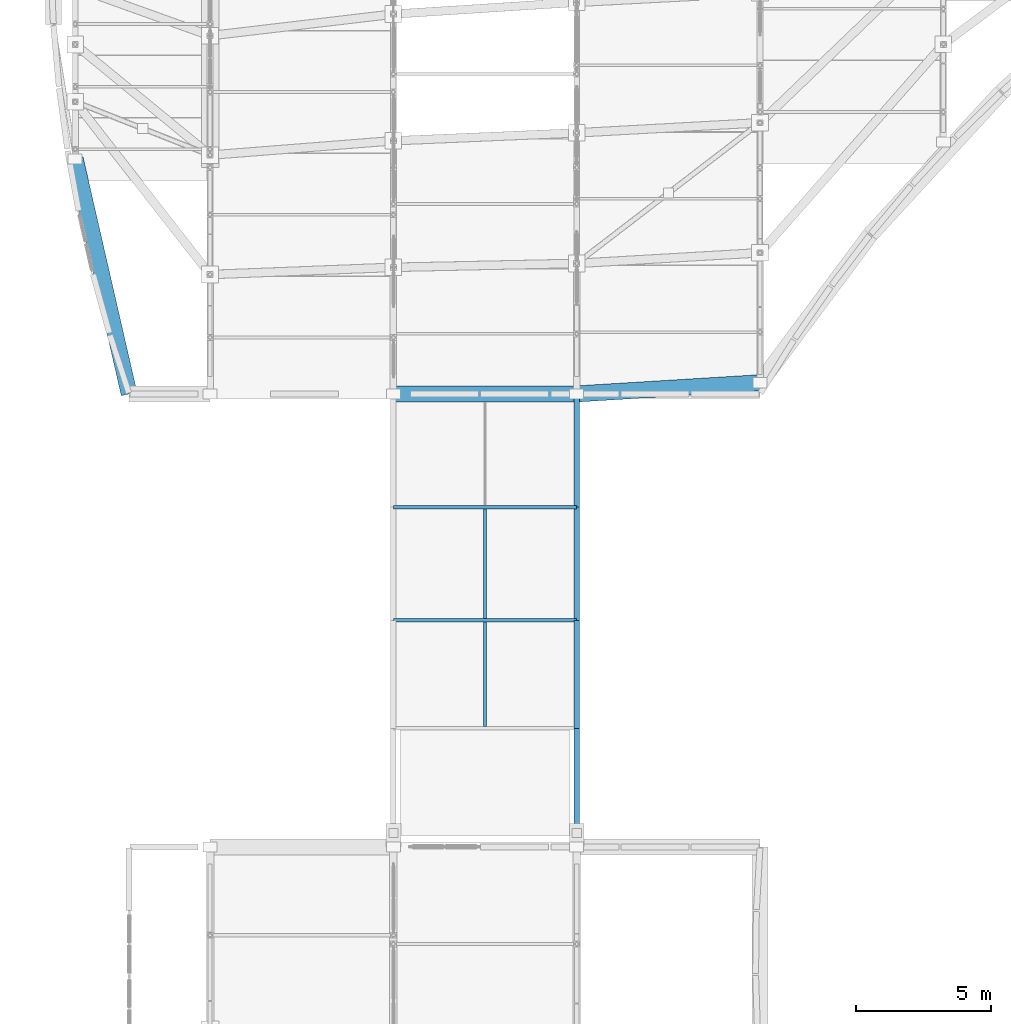
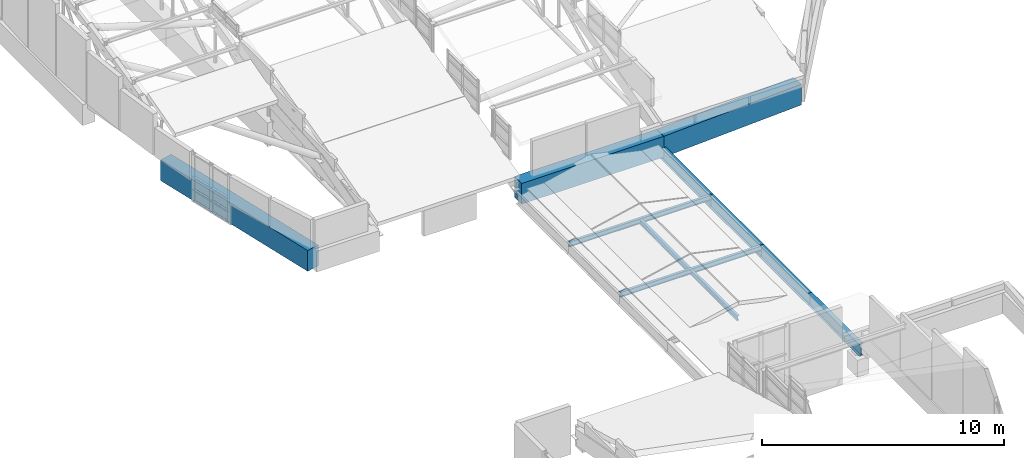
# One storey, part 65 of 188: 11 beams.
"""IFC4 building model written with IfcOpenShell, lengths in metres."""

import ifcopenshell
import ifcopenshell.guid

model = None  # the IFC model being written
_history = None  # IfcOwnerHistory: only IFC2X3 demands one
_inside = {}  # id of a spatial element -> (the spatial element, [elements in it])
_under = {}  # id of a project, library or spatial element -> (it, [spatial elements below it])
_declared = {}  # id of a project -> (the project, [libraries it declares])
_typed = {}  # id of a type object -> (the type object, [elements of that type])
_made_of = {}  # id of a material, layer set ... -> (it, [elements and type objects made of it])


def new_model(schema):
    """Start an empty IFC model of exactly this schema.

    Asked for "IFC4X3", IfcOpenShell would pick the latest addendum, in which some entities
    have other attributes; the version numbers below select the first issue.
    IFC2X3 requires an IfcOwnerHistory on every rooted entity: one is made here for all.
    """
    global model, _history
    if schema == "IFC4X3":
        model = ifcopenshell.file(schema_version=(4, 3, 0, 0))
    else:
        model = ifcopenshell.file(schema=schema)
    _inside.clear()
    _under.clear()
    _declared.clear()
    _typed.clear()
    _made_of.clear()
    _history = None
    if model.schema == "IFC2X3":
        org = make("IfcOrganization", Name="unknown")
        user = make(
            "IfcPersonAndOrganization",
            ThePerson=make("IfcPerson", FamilyName="unknown"),
            TheOrganization=org,
        )
        app = make(
            "IfcApplication",
            ApplicationDeveloper=org,
            Version="unknown",
            ApplicationFullName="unknown",
            ApplicationIdentifier="unknown",
        )
        _history = make(
            "IfcOwnerHistory",
            OwningUser=user,
            OwningApplication=app,
            ChangeAction="ADDED",
            CreationDate=0,
        )
    return model


def make(cls, **values):
    """One entity of the class cls with the attributes given. An attribute that is None is left unset."""
    return model.create_entity(
        cls, **{name: value for name, value in values.items() if value is not None}
    )


def rooted(cls, **values):
    """An entity with a GlobalId (a new one), such as an element, a storey or a relation."""
    return make(cls, GlobalId=ifcopenshell.guid.new(), OwnerHistory=_history, **values)


def si_unit(unit_type, name, prefix=None):
    """IfcSIUnit, for example si_unit("LENGTHUNIT", "METRE", prefix="MILLI")."""
    return make("IfcSIUnit", UnitType=unit_type, Prefix=prefix, Name=name)


def assignment(units):
    """IfcUnitAssignment: the units of a project."""
    return None if units is None else make("IfcUnitAssignment", Units=units)


def point(xyz):
    """IfcCartesianPoint."""
    return None if xyz is None else make("IfcCartesianPoint", Coordinates=xyz)


def direction(xyz):
    """IfcDirection."""
    return None if xyz is None else make("IfcDirection", DirectionRatios=xyz)


def frame(location, z_axis=None, x_axis=None):
    """IfcAxis2Placement3D, a coordinate frame: its origin and axes. An axis left out is left unset."""
    return make(
        "IfcAxis2Placement3D",
        Location=point(location),
        Axis=direction(z_axis),
        RefDirection=direction(x_axis),
    )


def frame_2d(location, x_axis=None):
    """IfcAxis2Placement2D, a coordinate frame in the plane: its origin and x axis."""
    return make(
        "IfcAxis2Placement2D", Location=point(location), RefDirection=direction(x_axis)
    )


def origin():
    """The frame at (0, 0, 0) with its axes left unset."""
    return frame((0.0, 0.0, 0.0))


def origin_2d():
    """The frame at (0, 0) in the plane with its x axis left unset."""
    return frame_2d((0.0, 0.0))


def place(relative_to, where):
    """IfcLocalPlacement: puts the frame where relative to a parent placement (None: the world)."""
    return make(
        "IfcLocalPlacement", PlacementRelTo=relative_to, RelativePlacement=where
    )


def context(
    kind, dimensions, precision=None, world=None, true_north=None, identifier=None
):
    """IfcGeometricRepresentationContext, for example the 3D "Model" context."""
    return make(
        "IfcGeometricRepresentationContext",
        ContextIdentifier=identifier,
        ContextType=kind,
        CoordinateSpaceDimension=dimensions,
        Precision=precision,
        WorldCoordinateSystem=world,
        TrueNorth=true_north,
    )


def subcontext(parent, identifier, kind, view, scale=None):
    """IfcGeometricRepresentationSubContext, for example "Body" below "Model"."""
    return make(
        "IfcGeometricRepresentationSubContext",
        ContextIdentifier=identifier,
        ContextType=kind,
        ParentContext=parent,
        TargetScale=scale,
        TargetView=view,
    )


def project(units=None, contexts=None):
    """IfcProject with its units and contexts."""
    return rooted(
        "IfcProject",
        Name="project",
        RepresentationContexts=contexts,
        UnitsInContext=assignment(units),
    )


def spatial(cls, under=None, at=None, **own):
    """A site, building, storey or space (cls), placed at a placement, below another one or the project."""
    s = rooted(cls, ObjectPlacement=at, **own)
    if under is not None:
        _under.setdefault(under.id(), (under, []))[1].append(s)
    return s


def profile(cls, at=None, kind="AREA", **sizes):
    """A parametric profile (cls). Its sizes go by their IFC names, for example OverallWidth=200.0."""
    return make(cls, ProfileType=kind, Position=at, **sizes)


def rectangle(**sizes):
    """IfcRectangleProfileDef."""
    return profile("IfcRectangleProfileDef", **sizes)


def i_section(**sizes):
    """IfcIShapeProfileDef."""
    return profile("IfcIShapeProfileDef", **sizes)


def extrude(swept, where, along, depth):
    """IfcExtrudedAreaSolid: the profile swept, set in the frame where, extruded along a direction by depth."""
    return make(
        "IfcExtrudedAreaSolid",
        SweptArea=swept,
        Position=where,
        ExtrudedDirection=direction(along),
        Depth=depth,
    )


def shape(context_of_items, identifier, shape_type, items):
    """IfcShapeRepresentation: the items that make up one representation, for example the "Body"."""
    return make(
        "IfcShapeRepresentation",
        ContextOfItems=context_of_items,
        RepresentationIdentifier=identifier,
        RepresentationType=shape_type,
        Items=items,
    )


def material(Name=None, Category=None):
    """IfcMaterial."""
    return make("IfcMaterial", Name=Name, Category=Category)


def material_profile(
    of_material, cross_section, Name=None, Category=None, Priority=None
):
    """IfcMaterialProfile: a cross section and its material."""
    return make(
        "IfcMaterialProfile",
        Name=Name,
        Material=of_material,
        Profile=cross_section,
        Priority=Priority,
        Category=Category,
    )


def profile_set(profiles, Name=None, composite=None):
    """IfcMaterialProfileSet."""
    return make(
        "IfcMaterialProfileSet",
        Name=Name,
        MaterialProfiles=profiles,
        CompositeProfile=composite,
    )


def made_of(thing, what):
    """Note that an element or type object is made of a material, layer set ...; save() writes the relation."""
    if what is not None:
        _made_of.setdefault(what.id(), (what, []))[1].append(thing)
    return thing


def type_object(cls, material=None, **own):
    """A type object (cls), such as IfcWallType, which elements share."""
    return made_of(rooted(cls, **own), material)


def element(
    cls,
    number,
    at=None,
    inside=None,
    cuts=None,
    type_object=None,
    material=None,
    context=None,
    identifier="Body",
    shape_type=None,
    held_by="IfcProductDefinitionShape",
    body=None,
    shapes=None,
    **own,
):
    """One element of the class cls, such as IfcWall. Its Tag is "e" and its number.

    at: its placement. inside: the storey or other place that contains it. cuts: it is an
    opening in that element (IfcRelVoidsElement). A single representation is given by context,
    identifier, shape_type and body (its items); several are given by shapes. held_by: the class
    of the entity that holds the representations. save() writes the other relations.
    """
    e = rooted(cls, Tag="e%d" % number, ObjectPlacement=at, **own)
    if body is not None:
        shapes = [shape(context, identifier, shape_type, body)]
    if shapes is not None:
        e.Representation = make(held_by, Representations=shapes)
    if inside is not None:
        _inside.setdefault(inside.id(), (inside, []))[1].append(e)
    if cuts is not None:
        rooted(
            "IfcRelVoidsElement", RelatingBuildingElement=cuts, RelatedOpeningElement=e
        )
    if type_object is not None:
        _typed.setdefault(type_object.id(), (type_object, []))[1].append(e)
    return made_of(e, material)


def aggregate(whole, parts):
    """IfcRelAggregates: a whole, such as a stair, and the parts it consists of."""
    return rooted("IfcRelAggregates", RelatingObject=whole, RelatedObjects=parts)


def save(model, path):
    """Write the relations noted so far, then the file.

    IfcRelAggregates (storeys below a building ...), IfcRelContainedInSpatialStructure (elements
    in a storey), IfcRelDefinesByType, IfcRelAssociatesMaterial and IfcRelDeclares: one each for
    every whole, place, type object, material and project.
    """
    for whole, parts in _under.values():
        aggregate(whole, parts)
    for where, things in _inside.values():
        rooted(
            "IfcRelContainedInSpatialStructure",
            RelatedElements=things,
            RelatingStructure=where,
        )
    for kind, things in _typed.values():
        rooted("IfcRelDefinesByType", RelatedObjects=things, RelatingType=kind)
    for what, things in _made_of.values():
        rooted("IfcRelAssociatesMaterial", RelatedObjects=things, RelatingMaterial=what)
    for by, libraries in _declared.values():
        rooted("IfcRelDeclares", RelatingContext=by, RelatedDefinitions=libraries)
    model.write(path)


model = new_model("IFC4")

# Units and contexts
model_context = context("Model", 3, precision=1e-05, world=origin(), true_north=direction((0.0, 1.0)))
body_context = subcontext(model_context, "Body", "Model", "MODEL_VIEW")
ifc_project = project(units=[si_unit("LENGTHUNIT", "METRE"), si_unit("AREAUNIT", "SQUARE_METRE"), si_unit("VOLUMEUNIT", "CUBIC_METRE"), si_unit("PLANEANGLEUNIT", "RADIAN"), si_unit("MASSUNIT", "GRAM", prefix="KILO")], contexts=[model_context])

# Site, building, storey
site_placement = place(None, origin())
site = spatial("IfcSite", under=ifc_project, at=site_placement, CompositionType="ELEMENT")
building_placement = place(site_placement, origin())
building = spatial("IfcBuilding", under=site, at=building_placement, Name="Kisaragi Civic Commons", CompositionType="ELEMENT")
storey_placement = place(building_placement, frame((0.0, 0.0, 9.60009765625)))
storey = spatial("IfcBuildingStorey", under=building, at=storey_placement, Name="L02", CompositionType="ELEMENT", Elevation=9.60009765625)

# Beams
ifc_material_1 = material(Name="Concrete Fc36", Category="concrete")
ifc_material_profile_1 = material_profile(ifc_material_1, rectangle(XDim=0.60009765625, YDim=1.050048828125, at=origin_2d()), Name="RC-600x1050", Category="concrete")
ifc_profile_set_1 = profile_set([ifc_material_profile_1], Name="Concrete Fc36")
beam_type_1 = type_object("IfcBeamType", Name="G-06", PredefinedType="BEAM", material=ifc_profile_set_1)
beam_1_placement = place(storey_placement, frame((13.60009765625, 79.199951171875, -0.84521484375), z_axis=(1.0, 0.0, 0.0), x_axis=(0.0, 1.0, 0.0)))
element("IfcBeam", 1, at=beam_1_placement, inside=storey, type_object=beam_type_1, Name="L02 girder G-06 269", PredefinedType="BEAM", context=body_context, shape_type="SweptSolid", body=[
    extrude(rectangle(XDim=0.60009765625, YDim=1.050048828125, at=origin_2d()), origin(), (0.0, 0.0, 1.0), 6.7998046875),
])
beam_2_placement = place(storey_placement, frame((1.800048828125, 87.916259765625, -0.84521484375), z_axis=(0.223643093075, -0.974671107051, 0.0), x_axis=(0.974671107051, 0.223643093075, 0.0)))
element("IfcBeam", 2, at=beam_2_placement, inside=storey, type_object=beam_type_1, Name="L02 curved spandrel/ring girder G-06 281", PredefinedType="BEAM", context=body_context, shape_type="SweptSolid", body=[
    extrude(rectangle(XDim=0.60009765625, YDim=1.050048828125, at=origin_2d()), origin(), (0.0, 0.0, 1.0), 8.94287109375),
])
beam_3_placement = place(storey_placement, frame((20.39990234375, 79.199951171875, -0.84521484375), z_axis=(0.998146925239, 0.060849943599, 0.0), x_axis=(-0.060849943599, 0.998146925239, 0.0)))
element("IfcBeam", 3, at=beam_3_placement, inside=storey, type_object=beam_type_1, Name="L02 curved spandrel/ring girder G-06 289", PredefinedType="BEAM", context=body_context, shape_type="SweptSolid", body=[
    extrude(rectangle(XDim=0.60009765625, YDim=1.050048828125, at=origin_2d()), origin(), (0.0, 0.0, 1.0), 6.812744140625),
])
ifc_material_2 = material(Name="Steel SN490 (SN490B)", Category="steel")
ifc_material_profile_2 = material_profile(ifc_material_2, i_section(OverallWidth=0.199951171875, OverallDepth=0.60009765625, WebThickness=0.010986328125, FlangeThickness=0.01708984375, FilletRadius=0.012939453125, at=origin_2d()), Name="H-600x200x11x17", Category="steel")
ifc_profile_set_2 = profile_set([ifc_material_profile_2], Name="Steel SN490 (SN490B)")
beam_type_2 = type_object("IfcBeamType", Name="G-10", PredefinedType="BEAM", material=ifc_profile_set_2)
for number, where, z_axis, x_axis, name in (
    (4, (20.39990234375, 79.199951171875, -1.190185546875), (0.0, -1.0, 0.0), (1.0, 0.0, 0.0), "BR-V2-V1 L02 bridge girder 81"),
    (5, (20.39990234375, 75.0, -1.190185546875), (0.0, -1.0, 0.0), (1.0, 0.0, 0.0), "BR-V2-V1 L02 bridge girder 82"),
):
    element("IfcBeam", number, at=place(storey_placement, frame(where, z_axis=z_axis, x_axis=x_axis)), inside=storey, type_object=beam_type_2, Name=name, PredefinedType="BEAM", context=body_context, shape_type="SweptSolid", body=[
        extrude(i_section(OverallWidth=0.199951171875, OverallDepth=0.60009765625, WebThickness=0.010986328125, FlangeThickness=0.01708984375, FilletRadius=0.012939453125, at=origin_2d()), origin(), (0.0, 0.0, 1.0), 4.199951171875),
    ])
beam_4_placement = place(storey_placement, frame((20.39990234375, 70.800048828125, -1.190185546875), z_axis=(0.0, -1.0, 0.0), x_axis=(1.0, 0.0, 0.0)))
element("IfcBeam", 6, at=beam_4_placement, inside=storey, type_object=beam_type_2, Name="BR-V2-V1 L02 bridge girder 83", PredefinedType="BEAM", context=body_context, shape_type="SweptSolid", body=[
    extrude(i_section(OverallWidth=0.199951171875, OverallDepth=0.60009765625, WebThickness=0.010986328125, FlangeThickness=0.01708984375, FilletRadius=0.012939453125, at=origin_2d()), origin(), (0.0, 0.0, 1.0), 4.0),
])
beam_5_placement = place(storey_placement, frame((20.39990234375, 66.800048828125, -1.190185546875), z_axis=(0.0, -1.0, 0.0), x_axis=(1.0, 0.0, 0.0)))
element("IfcBeam", 7, at=beam_5_placement, inside=storey, type_object=beam_type_2, Name="BR-V2-V1 L02 bridge girder 84", PredefinedType="BEAM", context=body_context, shape_type="SweptSolid", body=[
    extrude(i_section(OverallWidth=0.199951171875, OverallDepth=0.60009765625, WebThickness=0.010986328125, FlangeThickness=0.01708984375, FilletRadius=0.012939453125, at=origin_2d()), origin(), (0.0, 0.0, 1.0), 4.25),
])
ifc_material_3 = material(Name="Steel SN400 (SN400B)", Category="steel")
ifc_material_profile_3 = material_profile(ifc_material_3, i_section(OverallWidth=0.125, OverallDepth=0.25, WebThickness=0.006103515625, FlangeThickness=0.009033203125, FilletRadius=0.008056640625, at=origin_2d()), Name="H-250x125x6x9", Category="steel")
ifc_profile_set_3 = profile_set([ifc_material_profile_3], Name="Steel SN400 (SN400B)")
beam_type_3 = type_object("IfcBeamType", Name="J-05", PredefinedType="JOIST", material=ifc_profile_set_3)
for number, where, z_axis, x_axis, name in (
    (8, (13.60009765625, 75.0, -1.01513671875), (1.0, 0.0, 0.0), (0.0, 1.0, 0.0), "BR-V2-V1 L02 cross joist 86"),
    (9, (13.60009765625, 70.800048828125, -1.01513671875), (1.0, 0.0, 0.0), (0.0, 1.0, 0.0), "BR-V2-V1 L02 cross joist 87"),
):
    element("IfcBeam", number, at=place(storey_placement, frame(where, z_axis=z_axis, x_axis=x_axis)), inside=storey, type_object=beam_type_3, Name=name, PredefinedType="JOIST", context=body_context, shape_type="SweptSolid", body=[
        extrude(i_section(OverallWidth=0.125, OverallDepth=0.25, WebThickness=0.006103515625, FlangeThickness=0.009033203125, FilletRadius=0.008056640625, at=origin_2d()), origin(), (0.0, 0.0, 1.0), 6.7998046875),
    ])
beam_6_placement = place(storey_placement, frame((17.0, 74.9375, -1.01513671875), z_axis=(0.0, -1.0, 0.0), x_axis=(1.0, 0.0, 0.0)))
element("IfcBeam", 10, at=beam_6_placement, inside=storey, type_object=beam_type_3, Name="BR-V2-V1 L02 spine joist 89", PredefinedType="JOIST", context=body_context, shape_type="SweptSolid", body=[
    extrude(i_section(OverallWidth=0.125, OverallDepth=0.25, WebThickness=0.006103515625, FlangeThickness=0.009033203125, FilletRadius=0.008056640625, at=origin_2d()), origin(), (0.0, 0.0, 1.0), 4.074951171875),
])
beam_7_placement = place(storey_placement, frame((17.0, 70.737548828125, -1.01513671875), z_axis=(0.0, -1.0, 0.0), x_axis=(1.0, 0.0, 0.0)))
element("IfcBeam", 11, at=beam_7_placement, inside=storey, type_object=beam_type_3, Name="BR-V2-V1 L02 spine joist 90", PredefinedType="JOIST", context=body_context, shape_type="SweptSolid", body=[
    extrude(i_section(OverallWidth=0.125, OverallDepth=0.25, WebThickness=0.006103515625, FlangeThickness=0.009033203125, FilletRadius=0.008056640625, at=origin_2d()), origin(), (0.0, 0.0, 1.0), 3.875),
])

save(model, "model.ifc")
